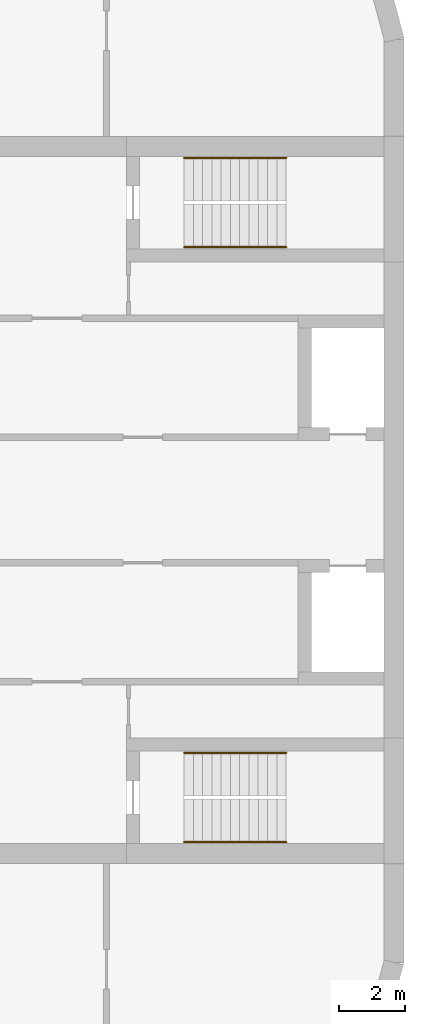
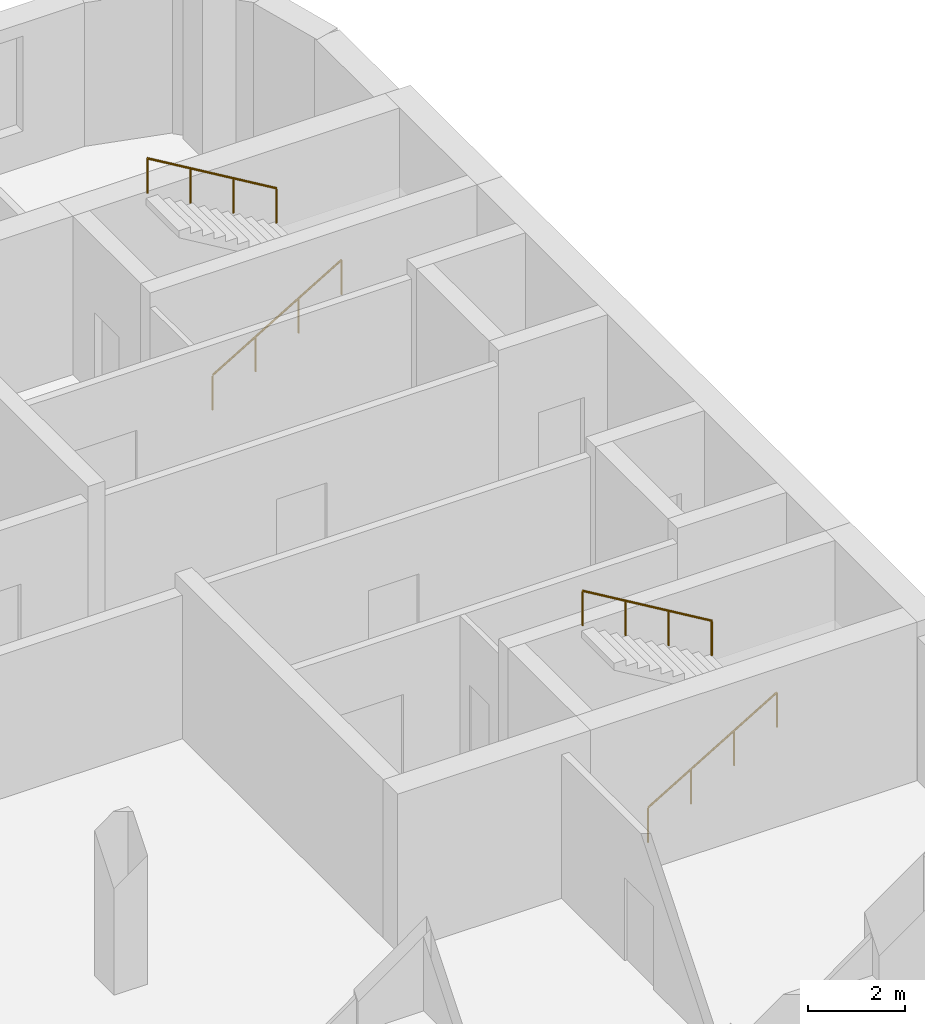
# One storey, part 16 of 18: 4 railings.
"""IFC4 building model written with IfcOpenShell, lengths in metres."""

from ifc_helpers import new_model, si_unit, direction, frame, origin, origin_2d, place, context, subcontext, project, spatial, circle, extrude, material, type_object, element, save


model = new_model("IFC4")

# Units and contexts
model_context = context("Model", 3, precision=1e-05, world=origin(), true_north=direction((0.0, 1.0)))
body_context = subcontext(model_context, "Body", "Model", "MODEL_VIEW")
ifc_project = project(units=[si_unit("LENGTHUNIT", "METRE"), si_unit("AREAUNIT", "SQUARE_METRE"), si_unit("VOLUMEUNIT", "CUBIC_METRE"), si_unit("PLANEANGLEUNIT", "RADIAN"), si_unit("MASSUNIT", "GRAM", prefix="KILO")], contexts=[model_context])

# Site, building, storey
site_placement = place(None, origin())
site = spatial("IfcSite", under=ifc_project, at=site_placement, CompositionType="ELEMENT")
building_placement = place(site_placement, origin())
building = spatial("IfcBuilding", under=site, at=building_placement, Name="Skarvind Civic Tower", CompositionType="ELEMENT")
storey_placement = place(building_placement, frame((0.0, 0.0, 31.5)))
storey = spatial("IfcBuildingStorey", under=building, at=storey_placement, Name="L06", CompositionType="ELEMENT", Elevation=31.5)

# Railings
ifc_material = material(Name="Painted steel handrail", Category="steel")
railing_type = type_object("IfcRailingType", Name="Stair handrail 900", PredefinedType="HANDRAIL", material=ifc_material)
railing_1_placement = place(storey_placement, frame((160.35009765625, 135.64990234375, 0.166748046875)))
element("IfcRailing", 1, at=railing_1_placement, inside=storey, type_object=railing_type, Name="Stair handrail", PredefinedType="HANDRAIL", context=body_context, shape_type="SweptSolid", body=[
    extrude(circle(Radius=0.02392578125, at=origin_2d()), frame((0.0, 0.0, 0.8759765625), z_axis=(0.859290745958, 0.0, 0.51148745235), x_axis=(0.0, 1.0, 0.0)), (0.0, 0.0, 1.0), 3.584228515625),
    extrude(circle(Radius=0.02099609375, at=origin_2d()), origin(), (0.0, 0.0, 1.0), 0.851806640625),
    extrude(circle(Radius=0.02099609375, at=origin_2d()), frame((1.026611328125, 0.0, 0.611083984375)), (0.0, 0.0, 1.0), 0.851806640625),
    extrude(circle(Radius=0.02099609375, at=origin_2d()), frame((2.05322265625, 0.0, 1.22216796875)), (0.0, 0.0, 1.0), 0.851806640625),
    extrude(circle(Radius=0.02099609375, at=origin_2d()), frame((3.079833984375, 0.0, 1.833251953125)), (0.0, 0.0, 1.0), 0.851806640625),
])
railing_2_placement = place(storey_placement, frame((163.429931640625, 138.35009765625, 2.166748046875)))
element("IfcRailing", 2, at=railing_2_placement, inside=storey, type_object=railing_type, Name="Stair handrail", PredefinedType="HANDRAIL", context=body_context, shape_type="SweptSolid", body=[
    extrude(circle(Radius=0.02392578125, at=origin_2d()), frame((0.0, 0.0, 0.8759765625), z_axis=(-0.859290745958, 0.0, 0.51148745235), x_axis=(0.0, -1.0, 0.0)), (0.0, 0.0, 1.0), 3.584228515625),
    extrude(circle(Radius=0.02099609375, at=origin_2d()), origin(), (0.0, 0.0, 1.0), 0.851806640625),
    extrude(circle(Radius=0.02099609375, at=origin_2d()), frame((-1.026611328125, 0.0, 0.611083984375)), (0.0, 0.0, 1.0), 0.851806640625),
    extrude(circle(Radius=0.02099609375, at=origin_2d()), frame((-2.05322265625, 0.0, 1.22216796875)), (0.0, 0.0, 1.0), 0.851806640625),
    extrude(circle(Radius=0.02099609375, at=origin_2d()), frame((-3.079833984375, 0.0, 1.833251953125)), (0.0, 0.0, 1.0), 0.851806640625),
])
railing_3_placement = place(storey_placement, frame((160.35009765625, 117.64990234375, 0.166748046875)))
element("IfcRailing", 3, at=railing_3_placement, inside=storey, type_object=railing_type, Name="Stair handrail", PredefinedType="HANDRAIL", context=body_context, shape_type="SweptSolid", body=[
    extrude(circle(Radius=0.02392578125, at=origin_2d()), frame((0.0, 0.0, 0.8759765625), z_axis=(0.859290745958, 0.0, 0.51148745235), x_axis=(0.0, 1.0, 0.0)), (0.0, 0.0, 1.0), 3.584228515625),
    extrude(circle(Radius=0.02099609375, at=origin_2d()), origin(), (0.0, 0.0, 1.0), 0.851806640625),
    extrude(circle(Radius=0.02099609375, at=origin_2d()), frame((1.026611328125, 0.0, 0.611083984375)), (0.0, 0.0, 1.0), 0.851806640625),
    extrude(circle(Radius=0.02099609375, at=origin_2d()), frame((2.05322265625, 0.0, 1.22216796875)), (0.0, 0.0, 1.0), 0.851806640625),
    extrude(circle(Radius=0.02099609375, at=origin_2d()), frame((3.079833984375, 0.0, 1.833251953125)), (0.0, 0.0, 1.0), 0.851806640625),
])
railing_4_placement = place(storey_placement, frame((163.429931640625, 120.35009765625, 2.166748046875)))
element("IfcRailing", 4, at=railing_4_placement, inside=storey, type_object=railing_type, Name="Stair handrail", PredefinedType="HANDRAIL", context=body_context, shape_type="SweptSolid", body=[
    extrude(circle(Radius=0.02392578125, at=origin_2d()), frame((0.0, 0.0, 0.8759765625), z_axis=(-0.859290745958, 0.0, 0.51148745235), x_axis=(0.0, -1.0, 0.0)), (0.0, 0.0, 1.0), 3.584228515625),
    extrude(circle(Radius=0.02099609375, at=origin_2d()), origin(), (0.0, 0.0, 1.0), 0.851806640625),
    extrude(circle(Radius=0.02099609375, at=origin_2d()), frame((-1.026611328125, 0.0, 0.611083984375)), (0.0, 0.0, 1.0), 0.851806640625),
    extrude(circle(Radius=0.02099609375, at=origin_2d()), frame((-2.05322265625, 0.0, 1.22216796875)), (0.0, 0.0, 1.0), 0.851806640625),
    extrude(circle(Radius=0.02099609375, at=origin_2d()), frame((-3.079833984375, 0.0, 1.833251953125)), (0.0, 0.0, 1.0), 0.851806640625),
])

save(model, "model.ifc")
